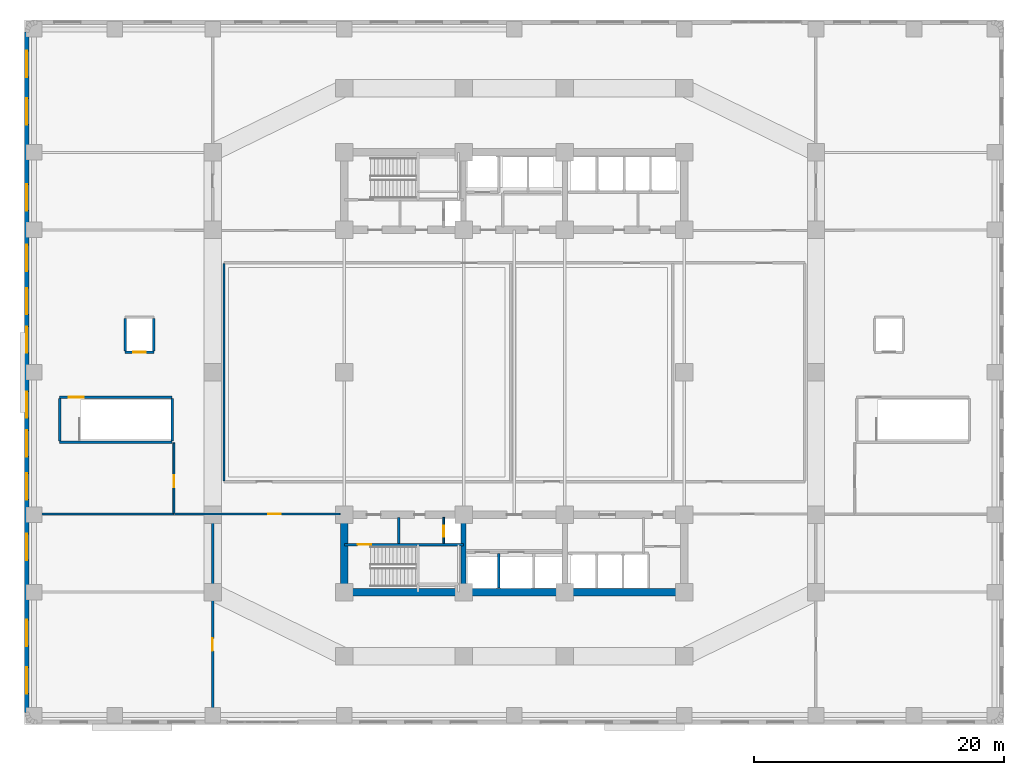
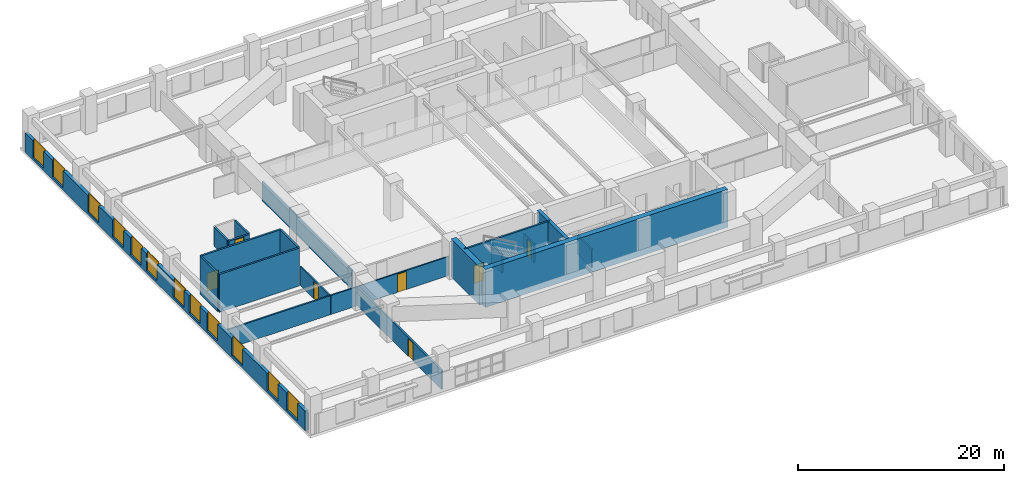
# One storey, part 6 of 13: 20 walls, 12 windows, 7 doors, 19 openings.
"""IFC4 building model written with IfcOpenShell, lengths in metres."""

from ifc_helpers import new_model, si_unit, direction, frame, frame_2d, origin, place, context, subcontext, project, spatial, rectangle, extrude, material, layer, layer_set, type_object, element, fill, save


model = new_model("IFC4")

# Units and contexts
model_context = context("Model", 3, precision=1e-05, world=origin(), true_north=direction((0.0, 1.0)))
body_context = subcontext(model_context, "Body", "Model", "MODEL_VIEW")
ifc_project = project(units=[si_unit("LENGTHUNIT", "METRE"), si_unit("AREAUNIT", "SQUARE_METRE"), si_unit("VOLUMEUNIT", "CUBIC_METRE"), si_unit("PLANEANGLEUNIT", "RADIAN"), si_unit("MASSUNIT", "GRAM", prefix="KILO")], contexts=[model_context])

# Site, building, storey
site_placement = place(None, origin())
site = spatial("IfcSite", under=ifc_project, at=site_placement, CompositionType="ELEMENT")
building_placement = place(site_placement, origin())
building = spatial("IfcBuilding", under=site, at=building_placement, Name="Svetorya Sky Lyceum", CompositionType="ELEMENT")
storey_placement = place(building_placement, frame((0.0, 0.0, 20.10009765625)))
storey = spatial("IfcBuildingStorey", under=building, at=storey_placement, Name="L04", CompositionType="ELEMENT", Elevation=20.10009765625)

# Walls
ifc_material_1 = material(Name="Concrete C40/50", Category="concrete")
ifc_layer_1 = layer(ifc_material_1, 0.39990234375)
ifc_layer_set_1 = layer_set([ifc_layer_1], Name="Concrete C40/50")
wall_type_1 = type_object("IfcWallType", Name="WL-CORE-400", PredefinedType="SHEAR", material=ifc_layer_set_1)
wall_1_placement = place(storey_placement, frame((35.14990234375, 10.89990234375, 0.0), z_axis=(0.0, 0.0, 1.0), x_axis=(0.0, 1.0, 0.0)))
element("IfcWall", 1, at=wall_1_placement, inside=storey, type_object=wall_type_1, Name="L04 SC Internal Shear Web WEB1", PredefinedType="SHEAR", context=body_context, shape_type="SweptSolid", body=[
    extrude(rectangle(XDim=5.60009765625, YDim=0.39990234375, at=frame_2d((2.800048828125, 0.0))), origin(), (0.0, 0.0, 1.0), 4.5),
])
ifc_material_2 = material(Name="Concrete C60/75", Category="concrete")
ifc_layer_2 = layer(ifc_material_2, 0.60009765625)
ifc_layer_set_2 = layer_set([ifc_layer_2], Name="Concrete C60/75")
wall_type_2 = type_object("IfcWallType", Name="WL-CORE-600", PredefinedType="SHEAR", material=ifc_layer_set_2)
wall_2_placement = place(storey_placement, frame((52.800048828125, 10.60009765625, 0.0), z_axis=(0.0, 0.0, 1.0), x_axis=(-1.0, 0.0, 0.0)))
element("IfcWall", 2, at=wall_2_placement, inside=storey, type_object=wall_type_2, Name="L04 SC Outer Core Shear Wall", PredefinedType="SHEAR", context=body_context, shape_type="SweptSolid", body=[
    extrude(rectangle(XDim=27.199951171875, YDim=0.60009765625, at=frame_2d((13.60009765625, 0.0))), origin(), (0.0, 0.0, 1.0), 4.5),
])
wall_3_placement = place(storey_placement, frame((25.60009765625, 10.89990234375, 0.0), z_axis=(0.0, 0.0, 1.0), x_axis=(0.0, 1.0, 0.0)))
element("IfcWall", 3, at=wall_3_placement, inside=storey, type_object=wall_type_2, Name="L04 SC West Core Shear Wall", PredefinedType="SHEAR", context=body_context, shape_type="SweptSolid", body=[
    extrude(rectangle(XDim=5.60009765625, YDim=0.60009765625, at=frame_2d((2.800048828125, 0.0))), origin(), (0.0, 0.0, 1.0), 4.5),
])

# Wall, openings, windows
ifc_material_3 = material(Name="Putilovo limestone rainscreen on autoclaved cellular masonry", Category="masonry")
ifc_layer_3 = layer(ifc_material_3, 0.360107421875)
ifc_layer_set_3 = layer_set([ifc_layer_3], Name="Putilovo limestone rainscreen on autoclaved cellular masonry")
wall_type_3 = type_object("IfcWallType", Name="WL-EXT-360", PredefinedType="SOLIDWALL", material=ifc_layer_set_3)
wall_4_placement = place(storey_placement, frame((0.179931640625, 55.419921875, 0.0), z_axis=(0.0, 0.0, 1.0), x_axis=(0.0, -1.0, 0.0)))
wall_4 = element("IfcWall", 4, at=wall_4_placement, inside=storey, type_object=wall_type_3, Name="L04 Limestone Exterior Wall 24M", PredefinedType="SOLIDWALL", context=body_context, shape_type="SweptSolid", body=[
    extrude(rectangle(XDim=54.43994140625, YDim=0.360107421875, at=frame_2d((27.219970703125, 0.0))), origin(), (0.0, 0.0, 1.0), 2.2998046875),
])
opening_1_placement = place(wall_4_placement, frame((1.497802734375, 0.0, 0.300048828125)))
opening_1 = element("IfcOpeningElement", 5, at=opening_1_placement, cuts=wall_4, Name="Opening W-S3", PredefinedType="OPENING", context=body_context, shape_type="SweptSolid", body=[
    extrude(rectangle(XDim=2.10009765625, YDim=2.199951171875, at=frame_2d((1.050048828125, 1.10009765625))), frame((0.0, 0.18994140625, 0.0), z_axis=(0.0, -1.0, 0.0), x_axis=(1.0, 0.0, 0.0)), (0.0, 0.0, 1.0), 0.380126953125),
])
opening_2_placement = place(wall_4_placement, frame((5.293701171875, 0.0, 0.300048828125)))
opening_2 = element("IfcOpeningElement", 6, at=opening_2_placement, cuts=wall_4, Name="Opening W-S3", PredefinedType="OPENING", context=body_context, shape_type="SweptSolid", body=[
    extrude(rectangle(XDim=2.10009765625, YDim=2.199951171875, at=frame_2d((1.050048828125, 1.10009765625))), frame((0.0, 0.18994140625, 0.0), z_axis=(0.0, -1.0, 0.0), x_axis=(1.0, 0.0, 0.0)), (0.0, 0.0, 1.0), 0.380126953125),
])
opening_3_placement = place(wall_4_placement, frame((12.18505859375, 0.0, 0.300048828125)))
opening_3 = element("IfcOpeningElement", 7, at=opening_3_placement, cuts=wall_4, Name="Opening W-S3", PredefinedType="OPENING", context=body_context, shape_type="SweptSolid", body=[
    extrude(rectangle(XDim=2.10009765625, YDim=2.199951171875, at=frame_2d((1.050048828125, 1.10009765625))), frame((0.0, 0.18994140625, 0.0), z_axis=(0.0, -1.0, 0.0), x_axis=(1.0, 0.0, 0.0)), (0.0, 0.0, 1.0), 0.380126953125),
])
opening_4_placement = place(wall_4_placement, frame((17.03076171875, 0.0, 0.300048828125)))
opening_4 = element("IfcOpeningElement", 8, at=opening_4_placement, cuts=wall_4, Name="Opening W-S3", PredefinedType="OPENING", context=body_context, shape_type="SweptSolid", body=[
    extrude(rectangle(XDim=2.10009765625, YDim=2.199951171875, at=frame_2d((1.050048828125, 1.10009765625))), frame((0.0, 0.18994140625, 0.0), z_axis=(0.0, -1.0, 0.0), x_axis=(1.0, 0.0, 0.0)), (0.0, 0.0, 1.0), 0.380126953125),
])
opening_5_placement = place(wall_4_placement, frame((20.476318359375, 0.0, 0.300048828125)))
opening_5 = element("IfcOpeningElement", 9, at=opening_5_placement, cuts=wall_4, Name="Opening W-S3", PredefinedType="OPENING", context=body_context, shape_type="SweptSolid", body=[
    extrude(rectangle(XDim=2.10009765625, YDim=2.199951171875, at=frame_2d((1.050048828125, 1.10009765625))), frame((0.0, 0.18994140625, 0.0), z_axis=(0.0, -1.0, 0.0), x_axis=(1.0, 0.0, 0.0)), (0.0, 0.0, 1.0), 0.380126953125),
])
opening_6_placement = place(wall_4_placement, frame((23.572021484375, 0.0, 0.300048828125)))
opening_6 = element("IfcOpeningElement", 10, at=opening_6_placement, cuts=wall_4, Name="Opening W-S3", PredefinedType="OPENING", context=body_context, shape_type="SweptSolid", body=[
    extrude(rectangle(XDim=2.10009765625, YDim=2.199951171875, at=frame_2d((1.050048828125, 1.10009765625))), frame((0.0, 0.18994140625, 0.0), z_axis=(0.0, -1.0, 0.0), x_axis=(1.0, 0.0, 0.0)), (0.0, 0.0, 1.0), 0.380126953125),
])
opening_7_placement = place(wall_4_placement, frame((28.767822265625, 0.0, 0.300048828125)))
opening_7 = element("IfcOpeningElement", 11, at=opening_7_placement, cuts=wall_4, Name="Opening W-S3", PredefinedType="OPENING", context=body_context, shape_type="SweptSolid", body=[
    extrude(rectangle(XDim=2.10009765625, YDim=2.199951171875, at=frame_2d((1.050048828125, 1.10009765625))), frame((0.0, 0.18994140625, 0.0), z_axis=(0.0, -1.0, 0.0), x_axis=(1.0, 0.0, 0.0)), (0.0, 0.0, 1.0), 0.380126953125),
])
opening_8_placement = place(wall_4_placement, frame((31.863525390625, 0.0, 0.300048828125)))
opening_8 = element("IfcOpeningElement", 12, at=opening_8_placement, cuts=wall_4, Name="Opening W-S3", PredefinedType="OPENING", context=body_context, shape_type="SweptSolid", body=[
    extrude(rectangle(XDim=2.10009765625, YDim=2.199951171875, at=frame_2d((1.050048828125, 1.10009765625))), frame((0.0, 0.18994140625, 0.0), z_axis=(0.0, -1.0, 0.0), x_axis=(1.0, 0.0, 0.0)), (0.0, 0.0, 1.0), 0.380126953125),
])
opening_9_placement = place(wall_4_placement, frame((35.309326171875, 0.0, 0.300048828125)))
opening_9 = element("IfcOpeningElement", 13, at=opening_9_placement, cuts=wall_4, Name="Opening W-S3", PredefinedType="OPENING", context=body_context, shape_type="SweptSolid", body=[
    extrude(rectangle(XDim=2.10009765625, YDim=2.199951171875, at=frame_2d((1.050048828125, 1.10009765625))), frame((0.0, 0.18994140625, 0.0), z_axis=(0.0, -1.0, 0.0), x_axis=(1.0, 0.0, 0.0)), (0.0, 0.0, 1.0), 0.380126953125),
])
opening_10_placement = place(wall_4_placement, frame((40.155029296875, 0.0, 0.300048828125)))
opening_10 = element("IfcOpeningElement", 14, at=opening_10_placement, cuts=wall_4, Name="Opening W-S3", PredefinedType="OPENING", context=body_context, shape_type="SweptSolid", body=[
    extrude(rectangle(XDim=2.10009765625, YDim=2.199951171875, at=frame_2d((1.050048828125, 1.10009765625))), frame((0.0, 0.18994140625, 0.0), z_axis=(0.0, -1.0, 0.0), x_axis=(1.0, 0.0, 0.0)), (0.0, 0.0, 1.0), 0.380126953125),
])
opening_11_placement = place(wall_4_placement, frame((47.04638671875, 0.0, 0.300048828125)))
opening_11 = element("IfcOpeningElement", 15, at=opening_11_placement, cuts=wall_4, Name="Opening W-S3", PredefinedType="OPENING", context=body_context, shape_type="SweptSolid", body=[
    extrude(rectangle(XDim=2.10009765625, YDim=2.199951171875, at=frame_2d((1.050048828125, 1.10009765625))), frame((0.0, 0.18994140625, 0.0), z_axis=(0.0, -1.0, 0.0), x_axis=(1.0, 0.0, 0.0)), (0.0, 0.0, 1.0), 0.380126953125),
])
opening_12_placement = place(wall_4_placement, frame((50.842041015625, 0.0, 0.300048828125)))
opening_12 = element("IfcOpeningElement", 16, at=opening_12_placement, cuts=wall_4, Name="Opening W-S3", PredefinedType="OPENING", context=body_context, shape_type="SweptSolid", body=[
    extrude(rectangle(XDim=2.10009765625, YDim=2.199951171875, at=frame_2d((1.050048828125, 1.10009765625))), frame((0.0, 0.18994140625, 0.0), z_axis=(0.0, -1.0, 0.0), x_axis=(1.0, 0.0, 0.0)), (0.0, 0.0, 1.0), 0.380126953125),
])
ifc_material_4 = material(Name="Thermally broken aluminium frame with triple low-E glazing", Category="aluminium")
window_type = type_object("IfcWindowType", Name="WN-SCH-210", PartitioningType="TRIPLE_PANEL_VERTICAL", PredefinedType="WINDOW", material=ifc_material_4)
window_1_placement = place(opening_1_placement, origin())
window_1 = element("IfcWindow", 17, at=window_1_placement, inside=storey, type_object=window_type, Name="L04 Facade Window W-S3.24M.1", OverallHeight=2.199951171875, OverallWidth=2.10009765625, PartitioningType="SINGLE_PANEL", PredefinedType="WINDOW", context=body_context, shape_type="SweptSolid", body=[
    extrude(rectangle(XDim=2.10009765625, YDim=2.199951171875, at=frame_2d((1.050048828125, 1.10009765625))), frame((0.0, 0.030029296875, 0.0), z_axis=(0.0, -1.0, 0.0), x_axis=(1.0, 0.0, 0.0)), (0.0, 0.0, 1.0), 0.06005859375),
])
fill(opening_1, window_1)
window_2_placement = place(opening_2_placement, origin())
window_2 = element("IfcWindow", 18, at=window_2_placement, inside=storey, type_object=window_type, Name="L04 Facade Window W-S3.24M.2", OverallHeight=2.199951171875, OverallWidth=2.10009765625, PartitioningType="SINGLE_PANEL", PredefinedType="WINDOW", context=body_context, shape_type="SweptSolid", body=[
    extrude(rectangle(XDim=2.10009765625, YDim=2.199951171875, at=frame_2d((1.050048828125, 1.10009765625))), frame((0.0, 0.030029296875, 0.0), z_axis=(0.0, -1.0, 0.0), x_axis=(1.0, 0.0, 0.0)), (0.0, 0.0, 1.0), 0.06005859375),
])
fill(opening_2, window_2)
window_3_placement = place(opening_3_placement, origin())
window_3 = element("IfcWindow", 19, at=window_3_placement, inside=storey, type_object=window_type, Name="L04 Facade Window W-S3.24M.3", OverallHeight=2.199951171875, OverallWidth=2.10009765625, PartitioningType="SINGLE_PANEL", PredefinedType="WINDOW", context=body_context, shape_type="SweptSolid", body=[
    extrude(rectangle(XDim=2.10009765625, YDim=2.199951171875, at=frame_2d((1.050048828125, 1.10009765625))), frame((0.0, 0.030029296875, 0.0), z_axis=(0.0, -1.0, 0.0), x_axis=(1.0, 0.0, 0.0)), (0.0, 0.0, 1.0), 0.06005859375),
])
fill(opening_3, window_3)
window_4_placement = place(opening_4_placement, origin())
window_4 = element("IfcWindow", 20, at=window_4_placement, inside=storey, type_object=window_type, Name="L04 Facade Window W-S3.24M.4", OverallHeight=2.199951171875, OverallWidth=2.10009765625, PartitioningType="SINGLE_PANEL", PredefinedType="WINDOW", context=body_context, shape_type="SweptSolid", body=[
    extrude(rectangle(XDim=2.10009765625, YDim=2.199951171875, at=frame_2d((1.050048828125, 1.10009765625))), frame((0.0, 0.030029296875, 0.0), z_axis=(0.0, -1.0, 0.0), x_axis=(1.0, 0.0, 0.0)), (0.0, 0.0, 1.0), 0.06005859375),
])
fill(opening_4, window_4)
window_5_placement = place(opening_5_placement, origin())
window_5 = element("IfcWindow", 21, at=window_5_placement, inside=storey, type_object=window_type, Name="L04 Facade Window W-S3.24M.5", OverallHeight=2.199951171875, OverallWidth=2.10009765625, PartitioningType="SINGLE_PANEL", PredefinedType="WINDOW", context=body_context, shape_type="SweptSolid", body=[
    extrude(rectangle(XDim=2.10009765625, YDim=2.199951171875, at=frame_2d((1.050048828125, 1.10009765625))), frame((0.0, 0.030029296875, 0.0), z_axis=(0.0, -1.0, 0.0), x_axis=(1.0, 0.0, 0.0)), (0.0, 0.0, 1.0), 0.06005859375),
])
fill(opening_5, window_5)
window_6_placement = place(opening_6_placement, origin())
window_6 = element("IfcWindow", 22, at=window_6_placement, inside=storey, type_object=window_type, Name="L04 Facade Window W-S3.24M.6", OverallHeight=2.199951171875, OverallWidth=2.10009765625, PartitioningType="SINGLE_PANEL", PredefinedType="WINDOW", context=body_context, shape_type="SweptSolid", body=[
    extrude(rectangle(XDim=2.10009765625, YDim=2.199951171875, at=frame_2d((1.050048828125, 1.10009765625))), frame((0.0, 0.030029296875, 0.0), z_axis=(0.0, -1.0, 0.0), x_axis=(1.0, 0.0, 0.0)), (0.0, 0.0, 1.0), 0.06005859375),
])
fill(opening_6, window_6)
window_7_placement = place(opening_7_placement, origin())
window_7 = element("IfcWindow", 23, at=window_7_placement, inside=storey, type_object=window_type, Name="L04 Facade Window W-S3.24M.7", OverallHeight=2.199951171875, OverallWidth=2.10009765625, PartitioningType="SINGLE_PANEL", PredefinedType="WINDOW", context=body_context, shape_type="SweptSolid", body=[
    extrude(rectangle(XDim=2.10009765625, YDim=2.199951171875, at=frame_2d((1.050048828125, 1.10009765625))), frame((0.0, 0.030029296875, 0.0), z_axis=(0.0, -1.0, 0.0), x_axis=(1.0, 0.0, 0.0)), (0.0, 0.0, 1.0), 0.06005859375),
])
fill(opening_7, window_7)
window_8_placement = place(opening_8_placement, origin())
window_8 = element("IfcWindow", 24, at=window_8_placement, inside=storey, type_object=window_type, Name="L04 Facade Window W-S3.24M.8", OverallHeight=2.199951171875, OverallWidth=2.10009765625, PartitioningType="SINGLE_PANEL", PredefinedType="WINDOW", context=body_context, shape_type="SweptSolid", body=[
    extrude(rectangle(XDim=2.10009765625, YDim=2.199951171875, at=frame_2d((1.050048828125, 1.10009765625))), frame((0.0, 0.030029296875, 0.0), z_axis=(0.0, -1.0, 0.0), x_axis=(1.0, 0.0, 0.0)), (0.0, 0.0, 1.0), 0.06005859375),
])
fill(opening_8, window_8)
window_9_placement = place(opening_9_placement, origin())
window_9 = element("IfcWindow", 25, at=window_9_placement, inside=storey, type_object=window_type, Name="L04 Facade Window W-S3.24M.9", OverallHeight=2.199951171875, OverallWidth=2.10009765625, PartitioningType="SINGLE_PANEL", PredefinedType="WINDOW", context=body_context, shape_type="SweptSolid", body=[
    extrude(rectangle(XDim=2.10009765625, YDim=2.199951171875, at=frame_2d((1.050048828125, 1.10009765625))), frame((0.0, 0.030029296875, 0.0), z_axis=(0.0, -1.0, 0.0), x_axis=(1.0, 0.0, 0.0)), (0.0, 0.0, 1.0), 0.06005859375),
])
fill(opening_9, window_9)
window_10_placement = place(opening_10_placement, origin())
window_10 = element("IfcWindow", 26, at=window_10_placement, inside=storey, type_object=window_type, Name="L04 Facade Window W-S3.24M.10", OverallHeight=2.199951171875, OverallWidth=2.10009765625, PartitioningType="SINGLE_PANEL", PredefinedType="WINDOW", context=body_context, shape_type="SweptSolid", body=[
    extrude(rectangle(XDim=2.10009765625, YDim=2.199951171875, at=frame_2d((1.050048828125, 1.10009765625))), frame((0.0, 0.030029296875, 0.0), z_axis=(0.0, -1.0, 0.0), x_axis=(1.0, 0.0, 0.0)), (0.0, 0.0, 1.0), 0.06005859375),
])
fill(opening_10, window_10)
window_11_placement = place(opening_11_placement, origin())
window_11 = element("IfcWindow", 27, at=window_11_placement, inside=storey, type_object=window_type, Name="L04 Facade Window W-S3.24M.11", OverallHeight=2.199951171875, OverallWidth=2.10009765625, PartitioningType="SINGLE_PANEL", PredefinedType="WINDOW", context=body_context, shape_type="SweptSolid", body=[
    extrude(rectangle(XDim=2.10009765625, YDim=2.199951171875, at=frame_2d((1.050048828125, 1.10009765625))), frame((0.0, 0.030029296875, 0.0), z_axis=(0.0, -1.0, 0.0), x_axis=(1.0, 0.0, 0.0)), (0.0, 0.0, 1.0), 0.06005859375),
])
fill(opening_11, window_11)
window_12_placement = place(opening_12_placement, origin())
window_12 = element("IfcWindow", 28, at=window_12_placement, inside=storey, type_object=window_type, Name="L04 Facade Window W-S3.24M.12", OverallHeight=2.199951171875, OverallWidth=2.10009765625, PartitioningType="SINGLE_PANEL", PredefinedType="WINDOW", context=body_context, shape_type="SweptSolid", body=[
    extrude(rectangle(XDim=2.10009765625, YDim=2.199951171875, at=frame_2d((1.050048828125, 1.10009765625))), frame((0.0, 0.030029296875, 0.0), z_axis=(0.0, -1.0, 0.0), x_axis=(1.0, 0.0, 0.0)), (0.0, 0.0, 1.0), 0.06005859375),
])
fill(opening_12, window_12)

# Wall, opening, door
ifc_material_5 = material(Name="Autoclaved cellular masonry blockwork with acoustic render", Category="masonry")
ifc_layer_4 = layer(ifc_material_5, 0.14990234375)
ifc_layer_set_4 = layer_set([ifc_layer_4], Name="Autoclaved cellular masonry blockwork with acoustic render")
wall_type_4 = type_object("IfcWallType", Name="WL-PART-150", PredefinedType="PARTITIONING", material=ifc_layer_set_4)
wall_5_placement = place(storey_placement, frame((33.550048828125, 14.5, 0.0), z_axis=(0.0, 0.0, 1.0), x_axis=(0.0, 1.0, 0.0)))
wall_5 = element("IfcWall", 29, at=wall_5_placement, inside=storey, type_object=wall_type_4, Name="L04 Interior Partition SC-SWD2", PredefinedType="PARTITIONING", context=body_context, shape_type="SweptSolid", body=[
    extrude(rectangle(XDim=2.080078125, YDim=0.14990234375, at=frame_2d((1.0400390625, 0.0))), origin(), (0.0, 0.0, 1.0), 2.260009765625),
])
opening_13_placement = place(wall_5_placement, frame((0.550048828125, 0.0, 0.0)))
opening_13 = element("IfcOpeningElement", 30, at=opening_13_placement, cuts=wall_5, Name="Opening D-SH1", PredefinedType="OPENING", context=body_context, shape_type="SweptSolid", body=[
    extrude(rectangle(XDim=0.85009765625, YDim=2.050048828125, at=frame_2d((0.425048828125, 1.02490234375))), frame((0.0, 0.0849609375, 0.0), z_axis=(0.0, -1.0, 0.0), x_axis=(1.0, 0.0, 0.0)), (0.0, 0.0, 1.0), 0.169921875),
])
ifc_material_6 = material(Name="Insulated galvanized riser inspection fire door")
door_type_1 = type_object("IfcDoorType", Name="DR-SHFT-850", OperationType="SINGLE_SWING_LEFT", PredefinedType="TRAPDOOR", material=ifc_material_6)
door_1_placement = place(opening_13_placement, origin())
door_1 = element("IfcDoor", 31, at=door_1_placement, inside=storey, type_object=door_type_1, Name="L04 South Riser Access Door", OperationType="SINGLE_SWING_RIGHT", OverallHeight=2.050048828125, OverallWidth=0.85009765625, PredefinedType="TRAPDOOR", context=body_context, shape_type="SweptSolid", body=[
    extrude(rectangle(XDim=0.85009765625, YDim=2.050048828125, at=frame_2d((0.425048828125, 1.02490234375))), frame((0.0, 0.02490234375, 0.0), z_axis=(0.0, -1.0, 0.0), x_axis=(1.0, 0.0, 0.0)), (0.0, 0.0, 1.0), 0.050048828125),
])
fill(opening_13, door_1)

wall_6_placement = place(storey_placement, frame((12.0, 16.85009765625, 0.0), z_axis=(0.0, 0.0, 1.0), x_axis=(1.0, 0.0, 0.0)))
wall_6 = element("IfcWall", 32, at=wall_6_placement, inside=storey, type_object=wall_type_4, Name="L04 Interior Partition SW-CORR", PredefinedType="PARTITIONING", context=body_context, shape_type="SweptSolid", body=[
    extrude(rectangle(XDim=13.25, YDim=0.14990234375, at=frame_2d((6.625, 0.0))), origin(), (0.0, 0.0, 1.0), 2.260009765625),
])
opening_14_placement = place(wall_6_placement, frame((7.5, 0.0, 0.0)))
opening_14 = element("IfcOpeningElement", 33, at=opening_14_placement, cuts=wall_6, Name="Opening D-RM2", PredefinedType="OPENING", context=body_context, shape_type="SweptSolid", body=[
    extrude(rectangle(XDim=1.0, YDim=2.14990234375, at=frame_2d((0.5, 1.074951171875))), frame((0.0, 0.0849609375, 0.0), z_axis=(0.0, -1.0, 0.0), x_axis=(1.0, 0.0, 0.0)), (0.0, 0.0, 1.0), 0.169921875),
])
ifc_material_7 = material(Name="Solid-core oak acoustic room door")
door_type_2 = type_object("IfcDoorType", Name="DR-INT-1000", OperationType="SINGLE_SWING_LEFT", PredefinedType="DOOR", material=ifc_material_7)
door_2_placement = place(opening_14_placement, origin())
door_2 = element("IfcDoor", 34, at=door_2_placement, inside=storey, type_object=door_type_2, Name="L04 Classroom SW2 Door", OperationType="SINGLE_SWING_LEFT", OverallHeight=2.14990234375, OverallWidth=1.0, PredefinedType="DOOR", context=body_context, shape_type="SweptSolid", body=[
    extrude(rectangle(XDim=1.0, YDim=2.14990234375, at=frame_2d((0.5, 1.074951171875))), frame((0.0, 0.02490234375, 0.0), z_axis=(0.0, -1.0, 0.0), x_axis=(1.0, 0.0, 0.0)), (0.0, 0.0, 1.0), 0.050048828125),
])
fill(opening_14, door_2)

wall_7_placement = place(storey_placement, frame((11.949951171875, 16.89990234375, 0.0), z_axis=(0.0, 0.0, 1.0), x_axis=(0.0, 1.0, 0.0)))
wall_7 = element("IfcWall", 35, at=wall_7_placement, inside=storey, type_object=wall_type_4, Name="L04 Interior Partition WCW-E", PredefinedType="PARTITIONING", context=body_context, shape_type="SweptSolid", body=[
    extrude(rectangle(XDim=5.650146484375, YDim=0.14990234375, at=frame_2d((2.8251953125, 0.0))), origin(), (0.0, 0.0, 1.0), 2.260009765625),
])
opening_15_placement = place(wall_7_placement, frame((2.10009765625, 0.0, 0.0)))
opening_15 = element("IfcOpeningElement", 36, at=opening_15_placement, cuts=wall_7, Name="Opening D-WC1", PredefinedType="OPENING", context=body_context, shape_type="SweptSolid", body=[
    extrude(rectangle(XDim=0.949951171875, YDim=2.10009765625, at=frame_2d((0.47509765625, 1.050048828125))), frame((0.0, 0.0849609375, 0.0), z_axis=(0.0, -1.0, 0.0), x_axis=(1.0, 0.0, 0.0)), (0.0, 0.0, 1.0), 0.169921875),
])
ifc_material_8 = material(Name="Moisture-resistant laminate accessible WC door")
door_type_3 = type_object("IfcDoorType", Name="DR-ACC-950", OperationType="SINGLE_SWING_LEFT", PredefinedType="DOOR", material=ifc_material_8)
door_3_placement = place(opening_15_placement, origin())
door_3 = element("IfcDoor", 37, at=door_3_placement, inside=storey, type_object=door_type_3, Name="L04 Accessible WC Door", OperationType="SINGLE_SWING_LEFT", OverallHeight=2.10009765625, OverallWidth=0.949951171875, PredefinedType="DOOR", context=body_context, shape_type="SweptSolid", body=[
    extrude(rectangle(XDim=0.949951171875, YDim=2.10009765625, at=frame_2d((0.47509765625, 1.050048828125))), frame((0.0, 0.02490234375, 0.0), z_axis=(0.0, -1.0, 0.0), x_axis=(1.0, 0.0, 0.0)), (0.0, 0.0, 1.0), 0.050048828125),
])
fill(opening_15, door_3)

# Walls
ifc_material_9 = material(Name="Autoclaved cellular masonry blockwork with fire render", Category="masonry")
ifc_layer_5 = layer(ifc_material_9, 0.175048828125)
ifc_layer_set_5 = layer_set([ifc_layer_5], Name="Autoclaved cellular masonry blockwork with fire render")
wall_type_5 = type_object("IfcWallType", Name="WL-PART-175", PredefinedType="PARTITIONING", material=ifc_layer_set_5)
wall_8_placement = place(storey_placement, frame((29.949951171875, 14.5, 0.0), z_axis=(0.0, 0.0, 1.0), x_axis=(0.0, 1.0, 0.0)))
element("IfcWall", 38, at=wall_8_placement, inside=storey, type_object=wall_type_5, Name="L04 Interior Partition SC-SWD1", PredefinedType="PARTITIONING", context=body_context, shape_type="SweptSolid", body=[
    extrude(rectangle(XDim=2.080078125, YDim=0.175048828125, at=frame_2d((1.0400390625, 0.0))), origin(), (0.0, 0.0, 1.0), 2.260009765625),
])
wall_9_placement = place(storey_placement, frame((37.949951171875, 10.949951171875, 0.0), z_axis=(0.0, 0.0, 1.0), x_axis=(0.0, 1.0, 0.0)))
element("IfcWall", 39, at=wall_9_placement, inside=storey, type_object=wall_type_5, Name="L04 Interior Partition SC-SHD1", PredefinedType="PARTITIONING", context=body_context, shape_type="SweptSolid", body=[
    extrude(rectangle(XDim=2.75, YDim=0.175048828125, at=frame_2d((1.375, 0.0))), origin(), (0.0, 0.0, 1.0), 2.260009765625),
])
wall_10_placement = place(storey_placement, frame((15.949951171875, 19.5, 0.0), z_axis=(0.0, 0.0, 1.0), x_axis=(0.0, 1.0, 0.0)))
element("IfcWall", 40, at=wall_10_placement, inside=storey, type_object=wall_type_5, Name="L04 Interior Partition CEN-W", PredefinedType="PARTITIONING", context=body_context, shape_type="SweptSolid", body=[
    extrude(rectangle(XDim=17.39990234375, YDim=0.175048828125, at=frame_2d((8.699951171875, 0.0))), origin(), (0.0, 0.0, 1.0), 2.260009765625),
])
wall_11_placement = place(storey_placement, frame((0.39990234375, 16.85009765625, 0.0), z_axis=(0.0, 0.0, 1.0), x_axis=(1.0, 0.0, 0.0)))
element("IfcWall", 41, at=wall_11_placement, inside=storey, type_object=wall_type_5, Name="L04 Interior Partition CLSW1-N", PredefinedType="PARTITIONING", context=body_context, shape_type="SweptSolid", body=[
    extrude(rectangle(XDim=11.550048828125, YDim=0.175048828125, at=frame_2d((5.77490234375, 0.0))), origin(), (0.0, 0.0, 1.0), 2.260009765625),
])
ifc_material_10 = material(Name="Autoclaved cellular masonry blockwork with gypsum plaster", Category="masonry")
ifc_layer_6 = layer(ifc_material_10, 0.199951171875)
ifc_layer_set_6 = layer_set([ifc_layer_6], Name="Autoclaved cellular masonry blockwork with gypsum plaster")
wall_type_6 = type_object("IfcWallType", Name="WL-PART-200", PredefinedType="PARTITIONING", material=ifc_layer_set_6)
for number, where, z_axis, x_axis, name in (
    (42, (8.050048828125, 29.89990234375, 0.0), (0.0, 0.0, 1.0), (0.0, 1.0, 0.0), "L04 Interior Partition SHL-W-SCHL1"),
    (43, (10.35009765625, 29.89990234375, 0.0), (0.0, 0.0, 1.0), (0.0, 1.0, 0.0), "L04 Interior Partition SHL-E-SCHL1"),
):
    element("IfcWall", number, at=place(storey_placement, frame(where, z_axis=z_axis, x_axis=x_axis)), inside=storey, type_object=wall_type_6, Name=name, PredefinedType="PARTITIONING", context=body_context, shape_type="SweptSolid", body=[
        extrude(rectangle(XDim=2.60009765625, YDim=0.199951171875, at=frame_2d((1.300048828125, 0.0))), origin(), (0.0, 0.0, 1.0), 2.260009765625),
    ])

# Wall, opening, door
wall_12_placement = place(storey_placement, frame((8.050048828125, 29.800048828125, 0.0), z_axis=(0.0, 0.0, 1.0), x_axis=(1.0, 0.0, 0.0)))
wall_12 = element("IfcWall", 44, at=wall_12_placement, inside=storey, type_object=wall_type_6, Name="L04 Interior Partition SHL-S-SCHL1", PredefinedType="PARTITIONING", context=body_context, shape_type="SweptSolid", body=[
    extrude(rectangle(XDim=2.300048828125, YDim=0.199951171875, at=frame_2d((1.14990234375, 0.0))), origin(), (0.0, 0.0, 1.0), 2.260009765625),
])
opening_16_placement = place(wall_12_placement, frame((0.64990234375, 0.0, 0.0)))
opening_16 = element("IfcOpeningElement", 45, at=opening_16_placement, cuts=wall_12, Name="Opening LD-P1", PredefinedType="OPENING", context=body_context, shape_type="SweptSolid", body=[
    extrude(rectangle(XDim=1.0, YDim=2.14990234375, at=frame_2d((0.5, 1.074951171875))), frame((0.0, 0.10986328125, 0.0), z_axis=(0.0, -1.0, 0.0), x_axis=(1.0, 0.0, 0.0)), (0.0, 0.0, 1.0), 0.219970703125),
])
ifc_material_11 = material(Name="Champagne-anodized stainless passenger lift landing door")
door_type_4 = type_object("IfcDoorType", Name="DR-LIFT-1000", OperationType="SLIDING_TO_LEFT", PredefinedType="DOOR", material=ifc_material_11)
door_4_placement = place(opening_16_placement, origin())
door_4 = element("IfcDoor", 46, at=door_4_placement, inside=storey, type_object=door_type_4, Name="L04 Lyceum Lift SCHL1 Landing Door", OperationType="SLIDING_TO_LEFT", OverallHeight=2.14990234375, OverallWidth=1.0, PredefinedType="DOOR", context=body_context, shape_type="SweptSolid", body=[
    extrude(rectangle(XDim=1.0, YDim=2.14990234375, at=frame_2d((0.5, 1.074951171875))), frame((0.0, 0.02490234375, 0.0), z_axis=(0.0, -1.0, 0.0), x_axis=(1.0, 0.0, 0.0)), (0.0, 0.0, 1.0), 0.050048828125),
])
fill(opening_16, door_4)

wall_13_placement = place(storey_placement, frame((15.050048828125, 0.39990234375, 0.0), z_axis=(0.0, 0.0, 1.0), x_axis=(0.0, 1.0, 0.0)))
wall_13 = element("IfcWall", 47, at=wall_13_placement, inside=storey, type_object=wall_type_6, Name="L04 Interior Partition SW-DIV", PredefinedType="PARTITIONING", context=body_context, shape_type="SweptSolid", body=[
    extrude(rectangle(XDim=16.400146484375, YDim=0.199951171875, at=frame_2d((8.2001953125, 0.0))), origin(), (0.0, 0.0, 1.0), 2.260009765625),
])
opening_17_placement = place(wall_13_placement, frame((5.5, 0.0, 0.0)))
opening_17 = element("IfcOpeningElement", 48, at=opening_17_placement, cuts=wall_13, Name="Opening D-RM2", PredefinedType="OPENING", context=body_context, shape_type="SweptSolid", body=[
    extrude(rectangle(XDim=1.0, YDim=2.14990234375, at=frame_2d((0.5, 1.074951171875))), frame((0.0, 0.10986328125, 0.0), z_axis=(0.0, -1.0, 0.0), x_axis=(1.0, 0.0, 0.0)), (0.0, 0.0, 1.0), 0.219970703125),
])
door_5_placement = place(opening_17_placement, origin())
door_5 = element("IfcDoor", 49, at=door_5_placement, inside=storey, type_object=door_type_2, Name="L04 SW Inter-Classroom Door", OperationType="SINGLE_SWING_LEFT", OverallHeight=2.14990234375, OverallWidth=1.0, PredefinedType="DOOR", context=body_context, shape_type="SweptSolid", body=[
    extrude(rectangle(XDim=1.0, YDim=2.14990234375, at=frame_2d((0.5, 1.074951171875))), frame((0.0, 0.02490234375, 0.0), z_axis=(0.0, -1.0, 0.0), x_axis=(1.0, 0.0, 0.0)), (0.0, 0.0, 1.0), 0.050048828125),
])
fill(opening_17, door_5)

ifc_material_12 = material(Name="Concrete C50/60", Category="concrete")
ifc_layer_7 = layer(ifc_material_12, 0.199951171875)
ifc_layer_set_7 = layer_set([ifc_layer_7], Name="Concrete C50/60")
wall_type_7 = type_object("IfcWallType", Name="WL-SHW-200", PredefinedType="SHEAR", material=ifc_layer_set_7)
wall_14_placement = place(storey_placement, frame((25.60009765625, 14.39990234375, 0.0), z_axis=(0.0, 0.0, 1.0), x_axis=(1.0, 0.0, 0.0)))
wall_14 = element("IfcWall", 50, at=wall_14_placement, inside=storey, type_object=wall_type_7, Name="L04 Structural Stair Shaft Wall SC-STW", PredefinedType="SHEAR", context=body_context, shape_type="SweptSolid", body=[
    extrude(rectangle(XDim=9.5498046875, YDim=0.199951171875, at=frame_2d((4.77490234375, 0.0))), origin(), (0.0, 0.0, 1.0), 4.5),
])
opening_18_placement = place(wall_14_placement, frame((1.050048828125, 0.0, 0.0)))
opening_18 = element("IfcOpeningElement", 51, at=opening_18_placement, cuts=wall_14, Name="Opening D-ST1", PredefinedType="OPENING", context=body_context, shape_type="SweptSolid", body=[
    extrude(rectangle(XDim=1.10009765625, YDim=2.14990234375, at=frame_2d((0.550048828125, 1.074951171875))), frame((0.0, 0.10986328125, 0.0), z_axis=(0.0, -1.0, 0.0), x_axis=(1.0, 0.0, 0.0)), (0.0, 0.0, 1.0), 0.219970703125),
])
ifc_material_13 = material(Name="Powder-coated insulated galvanized stair fire door")
door_type_5 = type_object("IfcDoorType", Name="DR-FIRE-1100", OperationType="SINGLE_SWING_LEFT", PredefinedType="DOOR", material=ifc_material_13)
door_6_placement = place(opening_18_placement, origin())
door_6 = element("IfcDoor", 52, at=door_6_placement, inside=storey, type_object=door_type_5, Name="L04 Stair ST-S Vestibule Fire Door", OperationType="SINGLE_SWING_LEFT", OverallHeight=2.14990234375, OverallWidth=1.10009765625, PredefinedType="DOOR", context=body_context, shape_type="SweptSolid", body=[
    extrude(rectangle(XDim=1.10009765625, YDim=2.14990234375, at=frame_2d((0.550048828125, 1.074951171875))), frame((0.0, 0.02490234375, 0.0), z_axis=(0.0, -1.0, 0.0), x_axis=(1.0, 0.0, 0.0)), (0.0, 0.0, 1.0), 0.050048828125),
])
fill(opening_18, door_6)

# Walls
wall_15_placement = place(storey_placement, frame((2.800048828125, 22.60009765625, 0.0), z_axis=(0.0, 0.0, 1.0), x_axis=(1.0, 0.0, 0.0)))
element("IfcWall", 53, at=wall_15_placement, inside=storey, type_object=wall_type_7, Name="L04 Structural Stair Shaft Wall SCHW-S-W", PredefinedType="SHEAR", context=body_context, shape_type="SweptSolid", body=[
    extrude(rectangle(XDim=9.0, YDim=0.199951171875, at=frame_2d((4.5, 0.0))), origin(), (0.0, 0.0, 1.0), 4.5),
])
for number, where, z_axis, x_axis, name in (
    (54, (2.800048828125, 22.699951171875, 0.0), (0.0, 0.0, 1.0), (0.0, 1.0, 0.0), "L04 Structural Stair Shaft Wall SCHW-W-W"),
    (55, (11.800048828125, 22.699951171875, 0.0), (0.0, 0.0, 1.0), (0.0, 1.0, 0.0), "L04 Structural Stair Shaft Wall SCHW-E-W"),
):
    element("IfcWall", number, at=place(storey_placement, frame(where, z_axis=z_axis, x_axis=x_axis)), inside=storey, type_object=wall_type_7, Name=name, PredefinedType="SHEAR", context=body_context, shape_type="SweptSolid", body=[
        extrude(rectangle(XDim=3.400146484375, YDim=0.199951171875, at=frame_2d((1.7001953125, 0.0))), origin(), (0.0, 0.0, 1.0), 4.5),
    ])

# Wall, opening, door
wall_16_placement = place(storey_placement, frame((11.800048828125, 26.199951171875, 0.0), z_axis=(0.0, 0.0, 1.0), x_axis=(-1.0, 0.0, 0.0)))
wall_16 = element("IfcWall", 56, at=wall_16_placement, inside=storey, type_object=wall_type_7, Name="L04 Structural Stair Shaft Wall SCHW-N-W", PredefinedType="SHEAR", context=body_context, shape_type="SweptSolid", body=[
    extrude(rectangle(XDim=9.0, YDim=0.199951171875, at=frame_2d((4.5, 0.0))), origin(), (0.0, 0.0, 1.0), 4.5),
])
opening_19_placement = place(wall_16_placement, frame((7.050048828125, 0.0, 0.0)))
opening_19 = element("IfcOpeningElement", 57, at=opening_19_placement, cuts=wall_16, Name="Opening D-FL1", PredefinedType="OPENING", context=body_context, shape_type="SweptSolid", body=[
    extrude(rectangle(XDim=1.199951171875, YDim=2.14990234375, at=frame_2d((0.60009765625, 1.074951171875))), frame((0.0, 0.10986328125, 0.0), z_axis=(0.0, -1.0, 0.0), x_axis=(1.0, 0.0, 0.0)), (0.0, 0.0, 1.0), 0.219970703125),
])
ifc_material_14 = material(Name="Powder-coated insulated galvanized fire door")
door_type_6 = type_object("IfcDoorType", Name="DR-FIRE-1200", OperationType="SINGLE_SWING_LEFT", PredefinedType="DOOR", material=ifc_material_14)
door_7_placement = place(opening_19_placement, origin())
door_7 = element("IfcDoor", 58, at=door_7_placement, inside=storey, type_object=door_type_6, Name="L04 Lyceum Stair W Fire Door", OperationType="SINGLE_SWING_LEFT", OverallHeight=2.14990234375, OverallWidth=1.199951171875, PredefinedType="DOOR", context=body_context, shape_type="SweptSolid", body=[
    extrude(rectangle(XDim=1.199951171875, YDim=2.14990234375, at=frame_2d((0.60009765625, 1.074951171875))), frame((0.0, 0.02490234375, 0.0), z_axis=(0.0, -1.0, 0.0), x_axis=(1.0, 0.0, 0.0)), (0.0, 0.0, 1.0), 0.050048828125),
])
fill(opening_19, door_7)

save(model, "model.ifc")
